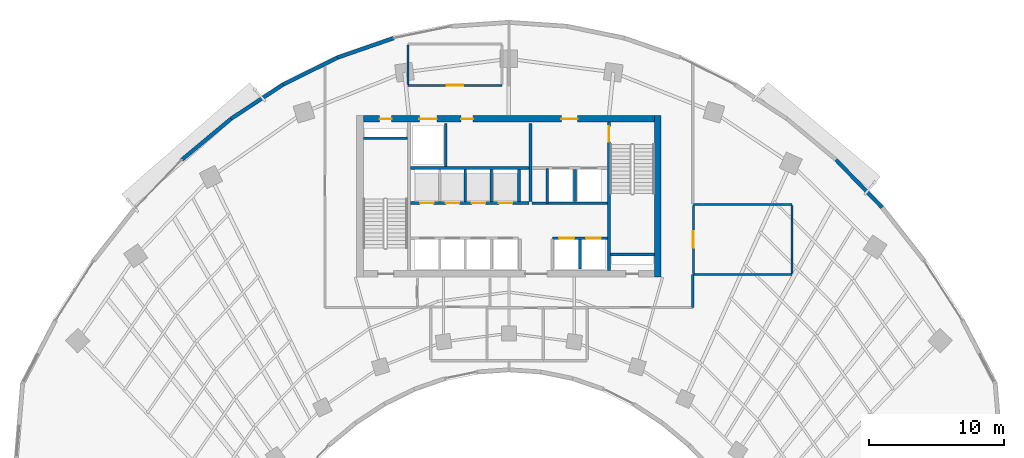
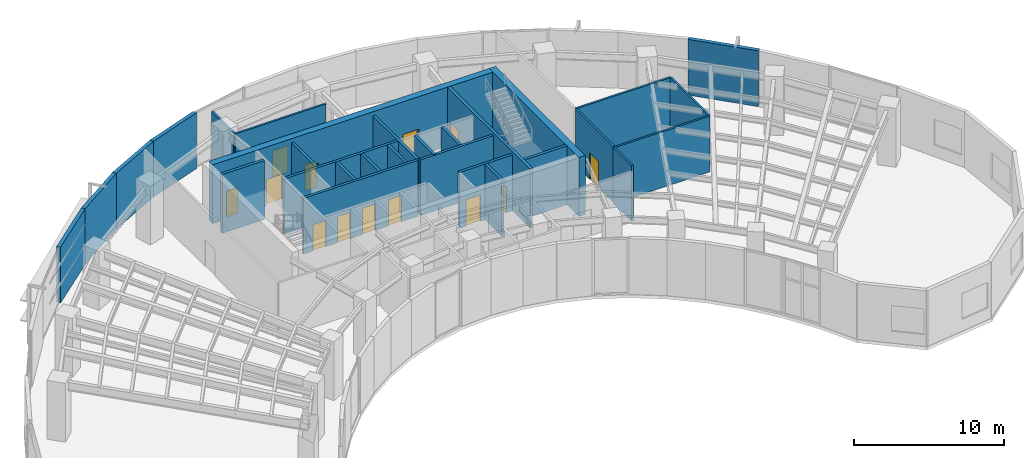
# One storey, part 10 of 15: 29 walls, 13 doors, 13 openings.
"""IFC4 building model written with IfcOpenShell, lengths in metres."""

from ifc_helpers import new_model, si_unit, direction, frame, frame_2d, origin, place, context, subcontext, project, spatial, rectangle, extrude, source, transform, mapped, material, layer, layer_set, type_object, type_shapes, element, fill, save


model = new_model("IFC4")

# Units and contexts
model_context = context("Model", 3, precision=1e-05, world=origin(), true_north=direction((0.0, 1.0)))
body_context = subcontext(model_context, "Body", "Model", "MODEL_VIEW")
ifc_project = project(units=[si_unit("LENGTHUNIT", "METRE"), si_unit("AREAUNIT", "SQUARE_METRE"), si_unit("VOLUMEUNIT", "CUBIC_METRE"), si_unit("PLANEANGLEUNIT", "RADIAN"), si_unit("MASSUNIT", "GRAM", prefix="KILO")], contexts=[model_context])

# Site, building, storey
site_placement = place(None, origin())
site = spatial("IfcSite", under=ifc_project, at=site_placement, CompositionType="ELEMENT")
building_placement = place(site_placement, origin())
building = spatial("IfcBuilding", under=site, at=building_placement, Name="Breltana Convention Tower", CompositionType="ELEMENT")
storey_placement = place(building_placement, frame((0.0, 0.0, 91.199951171875)))
storey = spatial("IfcBuildingStorey", under=building, at=storey_placement, Name="L21", CompositionType="ELEMENT", Elevation=91.199951171875)

# Wall
ifc_material_1 = material(Name="Concrete C60/75", Category="concrete")
ifc_layer_1 = layer(ifc_material_1, 0.5, Name="Concrete C60/75")
ifc_layer_set_1 = layer_set([ifc_layer_1], Name="Concrete C60/75")
wall_type_1 = type_object("IfcWallType", Name="SW-CORE-500", PredefinedType="SHEAR", material=ifc_layer_set_1)
shared_shape_1 = source(origin(), body_context, "Body", "SweptSolid", [
    extrude(rectangle(XDim=12.0, YDim=0.5, at=frame_2d((6.0, 0.0))), origin(), (0.0, 0.0, 1.0), 4.800048828125),
])
wall_1_placement = place(storey_placement, frame((59.050048828125, 60.199951171875, 0.0), z_axis=(0.0, 0.0, 1.0), x_axis=(0.0, 1.0, 0.0)))
element("IfcWall", 1, at=wall_1_placement, inside=storey, type_object=wall_type_1, Name="L21 East Core Shear Wall", PredefinedType="SHEAR", context=body_context, shape_type="MappedRepresentation", body=[
    mapped(shared_shape_1, transform((0.0, 0.0, 0.0), scale=1.0)),
])

# Wall, openings, doors
shared_shape_2 = source(origin(), body_context, "Body", "SweptSolid", [
    extrude(rectangle(XDim=21.60009765625, YDim=0.5, at=frame_2d((10.800048828125, 0.0))), origin(), (0.0, 0.0, 1.0), 4.800048828125),
])
wall_2_placement = place(storey_placement, frame((37.199951171875, 71.949951171875, 0.0), z_axis=(0.0, 0.0, 1.0), x_axis=(1.0, 0.0, 0.0)))
wall_2 = element("IfcWall", 2, at=wall_2_placement, inside=storey, type_object=wall_type_1, Name="L21 North Core Shear Wall", PredefinedType="SHEAR", context=body_context, shape_type="MappedRepresentation", body=[
    mapped(shared_shape_2, transform((0.0, 0.0, 0.0), scale=1.0)),
])
opening_1_placement = place(wall_2_placement, frame((1.199951171875, 0.0, 0.0)))
opening_1 = element("IfcOpeningElement", 3, at=opening_1_placement, cuts=wall_2, Name="Opening D-18", PredefinedType="OPENING", context=body_context, shape_type="SweptSolid", body=[
    extrude(rectangle(XDim=0.89990234375, YDim=2.10009765625, at=frame_2d((0.449951171875, 1.050048828125))), frame((0.0, 0.260009765625, 0.0), z_axis=(0.0, -1.0, 0.0), x_axis=(1.0, 0.0, 0.0)), (0.0, 0.0, 1.0), 0.52001953125),
])
opening_2_placement = place(wall_2_placement, frame((14.699951171875, 0.0, 0.0)))
opening_2 = element("IfcOpeningElement", 4, at=opening_2_placement, cuts=wall_2, Name="Opening D-09", PredefinedType="OPENING", context=body_context, shape_type="SweptSolid", body=[
    extrude(rectangle(XDim=1.199951171875, YDim=2.14990234375, at=frame_2d((0.60009765625, 1.074951171875))), frame((0.0, 0.260009765625, 0.0), z_axis=(0.0, -1.0, 0.0), x_axis=(1.0, 0.0, 0.0)), (0.0, 0.0, 1.0), 0.52001953125),
])
opening_3_placement = place(wall_2_placement, frame((4.14990234375, 0.0, 0.0)))
opening_3 = element("IfcOpeningElement", 5, at=opening_3_placement, cuts=wall_2, Name="Opening LD-01", PredefinedType="OPENING", context=body_context, shape_type="SweptSolid", body=[
    extrude(rectangle(XDim=1.300048828125, YDim=2.14990234375, at=frame_2d((0.64990234375, 1.074951171875))), frame((0.0, 0.260009765625, 0.0), z_axis=(0.0, -1.0, 0.0), x_axis=(1.0, 0.0, 0.0)), (0.0, 0.0, 1.0), 0.52001953125),
])
opening_4_placement = place(wall_2_placement, frame((7.25, 0.0, 0.0)))
opening_4 = element("IfcOpeningElement", 6, at=opening_4_placement, cuts=wall_2, Name="Opening D-18", PredefinedType="OPENING", context=body_context, shape_type="SweptSolid", body=[
    extrude(rectangle(XDim=0.89990234375, YDim=2.10009765625, at=frame_2d((0.449951171875, 1.050048828125))), frame((0.0, 0.260009765625, 0.0), z_axis=(0.0, -1.0, 0.0), x_axis=(1.0, 0.0, 0.0)), (0.0, 0.0, 1.0), 0.52001953125),
])
ifc_material_2 = material(Name="Steel Riser Fire Door", Category="steel")
door_type_1 = type_object("IfcDoorType", Name="DR-FD60-900", OperationType="NOTDEFINED", PredefinedType="DOOR", material=ifc_material_2)
shared_shape_3 = source(origin(), body_context, "Body", "SweptSolid", [
    extrude(rectangle(XDim=0.89990234375, YDim=2.10009765625, at=frame_2d((0.449951171875, 1.050048828125))), frame((0.0, 0.02490234375, 0.0), z_axis=(0.0, -1.0, 0.0), x_axis=(1.0, 0.0, 0.0)), (0.0, 0.0, 1.0), 0.050048828125),
])
type_shapes(door_type_1, [shared_shape_3])
door_1_placement = place(opening_1_placement, origin())
door_1 = element("IfcDoor", 7, at=door_1_placement, inside=storey, type_object=door_type_1, Name="L21 Core Riser Access Door D-L21-RS1", OperationType="SINGLE_SWING_LEFT", OverallHeight=2.10009765625, OverallWidth=0.89990234375, PredefinedType="DOOR", context=body_context, shape_type="MappedRepresentation", body=[
    mapped(shared_shape_3, transform((0.0, 0.0, 0.0), scale=1.0)),
])
fill(opening_1, door_1)
door_2_placement = place(opening_4_placement, origin())
door_2 = element("IfcDoor", 8, at=door_2_placement, inside=storey, type_object=door_type_1, Name="L21 interior door D-L21-CRA1", OperationType="SINGLE_SWING_LEFT", OverallHeight=2.10009765625, OverallWidth=0.89990234375, PredefinedType="DOOR", context=body_context, shape_type="MappedRepresentation", body=[
    mapped(shared_shape_3, transform((0.0, 0.0, 0.0), scale=1.0)),
])
fill(opening_4, door_2)
ifc_material_3 = material(Name="Steel Fire Lobby Door", Category="steel")
door_type_2 = type_object("IfcDoorType", Name="DR-FD120-1200", OperationType="NOTDEFINED", PredefinedType="DOOR", material=ifc_material_3)
shared_shape_4 = source(origin(), body_context, "Body", "SweptSolid", [
    extrude(rectangle(XDim=1.199951171875, YDim=2.14990234375, at=frame_2d((0.60009765625, 1.074951171875))), frame((0.0, 0.02490234375, 0.0), z_axis=(0.0, -1.0, 0.0), x_axis=(1.0, 0.0, 0.0)), (0.0, 0.0, 1.0), 0.050048828125),
])
type_shapes(door_type_2, [shared_shape_4])
door_3_placement = place(opening_2_placement, origin())
door_3 = element("IfcDoor", 9, at=door_3_placement, inside=storey, type_object=door_type_2, Name="L21 interior door D-L21-FFL-N", OperationType="SINGLE_SWING_RIGHT", OverallHeight=2.14990234375, OverallWidth=1.199951171875, PredefinedType="DOOR", context=body_context, shape_type="MappedRepresentation", body=[
    mapped(shared_shape_4, transform((0.0, 0.0, 0.0), scale=1.0)),
])
fill(opening_2, door_3)
ifc_material_4 = material(Name="Stainless Steel Brushed", Category="steel")
door_type_3 = type_object("IfcDoorType", Name="DR-LD-SRV-1300", OperationType="DOUBLE_DOOR_SLIDING", PredefinedType="DOOR", material=ifc_material_4)
shared_shape_5 = source(origin(), body_context, "Body", "SweptSolid", [
    extrude(rectangle(XDim=1.300048828125, YDim=2.14990234375, at=frame_2d((0.64990234375, 1.074951171875))), frame((0.0, 0.02490234375, 0.0), z_axis=(0.0, -1.0, 0.0), x_axis=(1.0, 0.0, 0.0)), (0.0, 0.0, 1.0), 0.050048828125),
])
type_shapes(door_type_3, [shared_shape_5])
door_4_placement = place(opening_3_placement, origin())
door_4 = element("IfcDoor", 10, at=door_4_placement, inside=storey, type_object=door_type_3, Name="L21 Lift Landing Door D-L21-LD-SV1", OperationType="DOUBLE_DOOR_SLIDING", OverallHeight=2.14990234375, OverallWidth=1.300048828125, PredefinedType="DOOR", context=body_context, shape_type="MappedRepresentation", body=[
    mapped(shared_shape_5, transform((0.0, 0.0, 0.0), scale=1.0)),
])
fill(opening_3, door_4)

# Walls
ifc_material_5 = material(Name="Concrete C50/60", Category="concrete")
ifc_layer_2 = layer(ifc_material_5, 0.39990234375, Name="Concrete C50/60")
ifc_layer_set_2 = layer_set([ifc_layer_2], Name="Concrete C50/60")
wall_type_2 = type_object("IfcWallType", Name="SW-CORE-400", PredefinedType="SHEAR", material=ifc_layer_set_2)
shared_shape_6 = source(origin(), body_context, "Body", "SweptSolid", [
    extrude(rectangle(XDim=3.27001953125, YDim=0.219970703125, at=frame_2d((1.635009765625, 0.0))), origin(), (0.0, 0.0, 1.0), 4.800048828125),
])
for number, where, z_axis, x_axis, name in (
    (11, (37.199951171875, 70.510009765625, 0.0), (0.0, 0.0, 1.0), (1.0, 0.0, 0.0), "L21 ST-1 Stairwell North Bearing Wall"),
    (12, (55.530029296875, 61.889892578125, 0.0), (0.0, 0.0, 1.0), (1.0, 0.0, 0.0), "L21 ST-2 Stairwell South Bearing Wall"),
):
    element("IfcWall", number, at=place(storey_placement, frame(where, z_axis=z_axis, x_axis=x_axis)), inside=storey, type_object=wall_type_2, Name=name, PredefinedType="SHEAR", context=body_context, shape_type="MappedRepresentation", body=[
        mapped(shared_shape_6, transform((0.0, 0.0, 0.0), scale=1.0)),
    ])

# Wall, opening, door
shared_shape_7 = source(origin(), body_context, "Body", "SweptSolid", [
    extrude(rectangle(XDim=11.0, YDim=0.219970703125, at=frame_2d((5.5, 0.0))), origin(), (0.0, 0.0, 1.0), 4.800048828125),
])
wall_3_placement = place(storey_placement, frame((55.419921875, 60.699951171875, 0.0), z_axis=(0.0, 0.0, 1.0), x_axis=(0.0, 1.0, 0.0)))
wall_3 = element("IfcWall", 13, at=wall_3_placement, inside=storey, type_object=wall_type_2, Name="L21 Core East Stair Spine Wall", PredefinedType="SHEAR", context=body_context, shape_type="MappedRepresentation", body=[
    mapped(shared_shape_7, transform((0.0, 0.0, 0.0), scale=1.0)),
])
opening_5_placement = place(wall_3_placement, frame((9.544921875, 0.0, 0.0)))
opening_5 = element("IfcOpeningElement", 14, at=opening_5_placement, cuts=wall_3, Name="Opening D-11", PredefinedType="OPENING", context=body_context, shape_type="SweptSolid", body=[
    extrude(rectangle(XDim=1.14990234375, YDim=2.14990234375, at=frame_2d((0.574951171875, 1.074951171875))), frame((0.0, 0.1201171875, 0.0), z_axis=(0.0, -1.0, 0.0), x_axis=(1.0, 0.0, 0.0)), (0.0, 0.0, 1.0), 0.239990234375),
])
ifc_material_6 = material(Name="Steel Stair Exit Door", Category="steel")
door_type_4 = type_object("IfcDoorType", Name="DR-FD120-1150", OperationType="NOTDEFINED", PredefinedType="DOOR", material=ifc_material_6)
shared_shape_8 = source(origin(), body_context, "Body", "SweptSolid", [
    extrude(rectangle(XDim=1.14990234375, YDim=2.14990234375, at=frame_2d((0.574951171875, 1.074951171875))), frame((0.0, 0.02490234375, 0.0), z_axis=(0.0, -1.0, 0.0), x_axis=(1.0, 0.0, 0.0)), (0.0, 0.0, 1.0), 0.050048828125),
])
type_shapes(door_type_4, [shared_shape_8])
door_5_placement = place(opening_5_placement, origin())
door_5 = element("IfcDoor", 15, at=door_5_placement, inside=storey, type_object=door_type_4, Name="L21 interior door D-L21-ST2", OperationType="SINGLE_SWING_LEFT", OverallHeight=2.14990234375, OverallWidth=1.14990234375, PredefinedType="DOOR", context=body_context, shape_type="MappedRepresentation", body=[
    mapped(shared_shape_8, transform((0.0, 0.0, 0.0), scale=1.0)),
])
fill(opening_5, door_5)

# Walls
ifc_material_7 = material(Name="Limestone Buff Insulated Wall", Category="masonry")
ifc_layer_3 = layer(ifc_material_7, 0.280029296875, Name="Limestone Buff Insulated Wall")
ifc_layer_set_3 = layer_set([ifc_layer_3], Name="Limestone Buff Insulated Wall")
wall_type_3 = type_object("IfcWallType", Name="WL-EXT-NOSE-280", PredefinedType="SOLIDWALL", material=ifc_layer_set_3)
shared_shape_9 = source(origin(), body_context, "Body", "SweptSolid", [
    extrude(rectangle(XDim=4.76220703125, YDim=0.280029296875, at=frame_2d((2.381103515625, 0.0))), origin(), (0.0, 0.0, 1.0), 4.550048828125),
])
wall_4_placement = place(storey_placement, frame((23.724609375, 68.907470703125, 0.0), z_axis=(0.0, 0.0, 1.0), x_axis=(0.767952279762, 0.640507061638, 0.0)))
element("IfcWall", 16, at=wall_4_placement, inside=storey, type_object=wall_type_3, Name="L21 curved limestone nose wall E21", PredefinedType="SOLIDWALL", context=body_context, shape_type="MappedRepresentation", body=[
    mapped(shared_shape_9, transform((0.0, 0.0, 0.0), scale=1.0)),
])
shared_shape_10 = source(origin(), body_context, "Body", "SweptSolid", [
    extrude(rectangle(XDim=4.625732421875, YDim=0.280029296875, at=frame_2d((2.31298828125, 0.0))), origin(), (0.0, 0.0, 1.0), 4.550048828125),
])
wall_5_placement = place(storey_placement, frame((27.3818359375, 71.957763671875, 0.0), z_axis=(0.0, 0.0, 1.0), x_axis=(0.83595938331, 0.548791316855, 0.0)))
element("IfcWall", 17, at=wall_5_placement, inside=storey, type_object=wall_type_3, Name="L21 curved limestone nose wall E22", PredefinedType="SOLIDWALL", context=body_context, shape_type="MappedRepresentation", body=[
    mapped(shared_shape_10, transform((0.0, 0.0, 0.0), scale=1.0)),
])
shared_shape_11 = source(origin(), body_context, "Body", "SweptSolid", [
    extrude(rectangle(XDim=4.505615234375, YDim=0.280029296875, at=frame_2d((2.2529296875, 0.0))), origin(), (0.0, 0.0, 1.0), 4.550048828125),
])
wall_6_placement = place(storey_placement, frame((31.248779296875, 74.496337890625, 0.0), z_axis=(0.0, 0.0, 1.0), x_axis=(0.89597155075, 0.444111450254, 0.0)))
element("IfcWall", 18, at=wall_6_placement, inside=storey, type_object=wall_type_3, Name="L21 curved limestone nose wall E23", PredefinedType="SOLIDWALL", context=body_context, shape_type="MappedRepresentation", body=[
    mapped(shared_shape_11, transform((0.0, 0.0, 0.0), scale=1.0)),
])
shared_shape_12 = source(origin(), body_context, "Body", "SweptSolid", [
    extrude(rectangle(XDim=4.408935546875, YDim=0.280029296875, at=frame_2d((2.20458984375, 0.0))), origin(), (0.0, 0.0, 1.0), 4.550048828125),
])
wall_7_placement = place(storey_placement, frame((35.28564453125, 76.497314453125, 0.0), z_axis=(0.0, 0.0, 1.0), x_axis=(0.944879374121, 0.327418643881, 0.0)))
element("IfcWall", 19, at=wall_7_placement, inside=storey, type_object=wall_type_3, Name="L21 curved limestone nose wall E24", PredefinedType="SOLIDWALL", context=body_context, shape_type="MappedRepresentation", body=[
    mapped(shared_shape_12, transform((0.0, 0.0, 0.0), scale=1.0)),
])
shared_shape_13 = source(origin(), body_context, "Body", "SweptSolid", [
    extrude(rectangle(XDim=4.908447265625, YDim=0.280029296875, at=frame_2d((2.4541015625, 0.0))), origin(), (0.0, 0.0, 1.0), 4.550048828125),
])
wall_8_placement = place(storey_placement, frame((72.275390625, 68.907470703125, 0.0), z_axis=(0.0, 0.0, 1.0), x_axis=(0.694613154328, -0.719383462302, 0.0)))
element("IfcWall", 20, at=wall_8_placement, inside=storey, type_object=wall_type_3, Name="L21 curved limestone nose wall E31", PredefinedType="SOLIDWALL", context=body_context, shape_type="MappedRepresentation", body=[
    mapped(shared_shape_13, transform((0.0, 0.0, 0.0), scale=1.0)),
])
ifc_material_8 = material(Name="Autoclaved Aerated Concrete Block", Category="concrete")
ifc_layer_4 = layer(ifc_material_8, 0.199951171875, Name="Autoclaved Aerated Concrete Block")
ifc_layer_set_4 = layer_set([ifc_layer_4], Name="Autoclaved Aerated Concrete Block")
wall_type_4 = type_object("IfcWallType", Name="WL-SHAFT-200", PredefinedType="SOLIDWALL", material=ifc_layer_set_4)
shared_shape_14 = source(origin(), body_context, "Body", "SweptSolid", [
    extrude(rectangle(XDim=5.6201171875, YDim=0.199951171875, at=frame_2d((2.81005859375, 0.0))), origin(), (0.0, 0.0, 1.0), 4.550048828125),
])
wall_9_placement = place(storey_placement, frame((49.699951171875, 65.679931640625, 0.0), z_axis=(0.0, 0.0, 1.0), x_axis=(1.0, 0.0, 0.0)))
element("IfcWall", 21, at=wall_9_placement, inside=storey, type_object=wall_type_4, Name="L21 interior partition W-L21-FL-S", PredefinedType="SOLIDWALL", context=body_context, shape_type="MappedRepresentation", body=[
    mapped(shared_shape_14, transform((0.0, 0.0, 0.0), scale=1.0)),
])
shared_shape_15 = source(origin(), body_context, "Body", "SweptSolid", [
    extrude(rectangle(XDim=5.800048828125, YDim=0.199951171875, at=frame_2d((2.89990234375, 0.0))), origin(), (0.0, 0.0, 1.0), 4.550048828125),
])
wall_10_placement = place(storey_placement, frame((49.60009765625, 65.800048828125, 0.0), z_axis=(0.0, 0.0, 1.0), x_axis=(0.0, 1.0, 0.0)))
element("IfcWall", 22, at=wall_10_placement, inside=storey, type_object=wall_type_4, Name="L21 interior partition W-L21-FFL-W", PredefinedType="SOLIDWALL", context=body_context, shape_type="MappedRepresentation", body=[
    mapped(shared_shape_15, transform((0.0, 0.0, 0.0), scale=1.0)),
])
shared_shape_16 = source(origin(), body_context, "Body", "SweptSolid", [
    extrude(rectangle(XDim=2.580078125, YDim=0.199951171875, at=frame_2d((1.2900390625, 0.0))), origin(), (0.0, 0.0, 1.0), 4.550048828125),
])
wall_11_placement = place(storey_placement, frame((50.85009765625, 65.679931640625, 0.0), z_axis=(0.0, 0.0, 1.0), x_axis=(0.0, 1.0, 0.0)))
element("IfcWall", 23, at=wall_11_placement, inside=storey, type_object=wall_type_4, Name="L21 interior partition W-L21-FL-W", PredefinedType="SOLIDWALL", context=body_context, shape_type="MappedRepresentation", body=[
    mapped(shared_shape_16, transform((0.0, 0.0, 0.0), scale=1.0)),
])
shared_shape_17 = source(origin(), body_context, "Body", "SweptSolid", [
    extrude(rectangle(XDim=2.39990234375, YDim=0.199951171875, at=frame_2d((1.199951171875, 0.0))), origin(), (0.0, 0.0, 1.0), 4.550048828125),
])
for number, where, z_axis, x_axis, name in (
    (24, (52.89990234375, 65.800048828125, 0.0), (0.0, 0.0, 1.0), (0.0, 1.0, 0.0), "L21 interior partition W-L21-FL-DIV"),
    (25, (48.75, 65.800048828125, 0.0), (0.0, 0.0, 1.0), (0.0, 1.0, 0.0), "L21 interior partition W-L21-SH-M-END"),
    (26, (44.77001953125, 65.800048828125, 0.0), (0.0, 0.0, 1.0), (0.0, 1.0, 0.0), "L21 interior partition W-L21-SH-M-DIV2"),
    (27, (46.699951171875, 65.800048828125, 0.0), (0.0, 0.0, 1.0), (0.0, 1.0, 0.0), "L21 interior partition W-L21-SH-M-DIV3"),
):
    element("IfcWall", number, at=place(storey_placement, frame(where, z_axis=z_axis, x_axis=x_axis)), inside=storey, type_object=wall_type_4, Name=name, PredefinedType="SOLIDWALL", context=body_context, shape_type="MappedRepresentation", body=[
        mapped(shared_shape_17, transform((0.0, 0.0, 0.0), scale=1.0)),
    ])
shared_shape_18 = source(origin(), body_context, "Body", "SweptSolid", [
    extrude(rectangle(XDim=3.2001953125, YDim=0.199951171875, at=frame_2d((1.60009765625, 0.0))), origin(), (0.0, 0.0, 1.0), 4.550048828125),
])
wall_12_placement = place(storey_placement, frame((43.320068359375, 68.39990234375, 0.0), z_axis=(0.0, 0.0, 1.0), x_axis=(0.0, 1.0, 0.0)))
element("IfcWall", 28, at=wall_12_placement, inside=storey, type_object=wall_type_4, Name="L21 interior partition W-L21-SV-E", PredefinedType="SOLIDWALL", context=body_context, shape_type="MappedRepresentation", body=[
    mapped(shared_shape_18, transform((0.0, 0.0, 0.0), scale=1.0)),
])
shared_shape_19 = source(origin(), body_context, "Body", "SweptSolid", [
    extrude(rectangle(XDim=8.800048828125, YDim=0.199951171875, at=frame_2d((4.39990234375, 0.0))), origin(), (0.0, 0.0, 1.0), 4.550048828125),
])
wall_13_placement = place(storey_placement, frame((40.699951171875, 68.300048828125, 0.0), z_axis=(0.0, 0.0, 1.0), x_axis=(1.0, 0.0, 0.0)))
element("IfcWall", 29, at=wall_13_placement, inside=storey, type_object=wall_type_4, Name="L21 interior partition W-L21-SV-S", PredefinedType="SOLIDWALL", context=body_context, shape_type="MappedRepresentation", body=[
    mapped(shared_shape_19, transform((0.0, 0.0, 0.0), scale=1.0)),
])

# Wall, openings, doors
wall_14_placement = place(storey_placement, frame((40.699951171875, 65.699951171875, 0.0), z_axis=(0.0, 0.0, 1.0), x_axis=(1.0, 0.0, 0.0)))
wall_14 = element("IfcWall", 30, at=wall_14_placement, inside=storey, type_object=wall_type_4, Name="L21 interior partition W-L21-SH-M-FRONT", PredefinedType="SOLIDWALL", context=body_context, shape_type="MappedRepresentation", body=[
    mapped(shared_shape_19, transform((0.0, 0.0, 0.0), scale=1.0)),
])
opening_6_placement = place(wall_14_placement, frame((0.719970703125, 0.0, 0.0)))
opening_6 = element("IfcOpeningElement", 31, at=opening_6_placement, cuts=wall_14, Name="Opening LD-04", PredefinedType="OPENING", context=body_context, shape_type="SweptSolid", body=[
    extrude(rectangle(XDim=1.0, YDim=2.14990234375, at=frame_2d((0.5, 1.074951171875))), frame((0.0, 0.10986328125, 0.0), z_axis=(0.0, -1.0, 0.0), x_axis=(1.0, 0.0, 0.0)), (0.0, 0.0, 1.0), 0.219970703125),
])
opening_7_placement = place(wall_14_placement, frame((2.6201171875, 0.0, 0.0)))
opening_7 = element("IfcOpeningElement", 32, at=opening_7_placement, cuts=wall_14, Name="Opening LD-04", PredefinedType="OPENING", context=body_context, shape_type="SweptSolid", body=[
    extrude(rectangle(XDim=1.0, YDim=2.14990234375, at=frame_2d((0.5, 1.074951171875))), frame((0.0, 0.10986328125, 0.0), z_axis=(0.0, -1.0, 0.0), x_axis=(1.0, 0.0, 0.0)), (0.0, 0.0, 1.0), 0.219970703125),
])
opening_8_placement = place(wall_14_placement, frame((4.550048828125, 0.0, 0.0)))
opening_8 = element("IfcOpeningElement", 33, at=opening_8_placement, cuts=wall_14, Name="Opening LD-04", PredefinedType="OPENING", context=body_context, shape_type="SweptSolid", body=[
    extrude(rectangle(XDim=1.0, YDim=2.14990234375, at=frame_2d((0.5, 1.074951171875))), frame((0.0, 0.10986328125, 0.0), z_axis=(0.0, -1.0, 0.0), x_axis=(1.0, 0.0, 0.0)), (0.0, 0.0, 1.0), 0.219970703125),
])
opening_9_placement = place(wall_14_placement, frame((6.550048828125, 0.0, 0.0)))
opening_9 = element("IfcOpeningElement", 34, at=opening_9_placement, cuts=wall_14, Name="Opening LD-04", PredefinedType="OPENING", context=body_context, shape_type="SweptSolid", body=[
    extrude(rectangle(XDim=1.0, YDim=2.14990234375, at=frame_2d((0.5, 1.074951171875))), frame((0.0, 0.10986328125, 0.0), z_axis=(0.0, -1.0, 0.0), x_axis=(1.0, 0.0, 0.0)), (0.0, 0.0, 1.0), 0.219970703125),
])
door_type_5 = type_object("IfcDoorType", Name="DR-LD-PAX-1000", OperationType="DOUBLE_DOOR_SLIDING", PredefinedType="DOOR", material=ifc_material_4)
shared_shape_20 = source(origin(), body_context, "Body", "SweptSolid", [
    extrude(rectangle(XDim=1.0, YDim=2.14990234375, at=frame_2d((0.5, 1.074951171875))), frame((0.0, 0.02490234375, 0.0), z_axis=(0.0, -1.0, 0.0), x_axis=(1.0, 0.0, 0.0)), (0.0, 0.0, 1.0), 0.050048828125),
])
type_shapes(door_type_5, [shared_shape_20])
door_6_placement = place(opening_6_placement, origin())
door_6 = element("IfcDoor", 35, at=door_6_placement, inside=storey, type_object=door_type_5, Name="L21 Lift Landing Door D-L21-LD-M1", OperationType="DOUBLE_DOOR_SLIDING", OverallHeight=2.14990234375, OverallWidth=1.0, PredefinedType="DOOR", context=body_context, shape_type="MappedRepresentation", body=[
    mapped(shared_shape_20, transform((0.0, 0.0, 0.0), scale=1.0)),
])
fill(opening_6, door_6)
door_7_placement = place(opening_7_placement, origin())
door_7 = element("IfcDoor", 36, at=door_7_placement, inside=storey, type_object=door_type_5, Name="L21 Lift Landing Door D-L21-LD-M2", OperationType="DOUBLE_DOOR_SLIDING", OverallHeight=2.14990234375, OverallWidth=1.0, PredefinedType="DOOR", context=body_context, shape_type="MappedRepresentation", body=[
    mapped(shared_shape_20, transform((0.0, 0.0, 0.0), scale=1.0)),
])
fill(opening_7, door_7)
door_8_placement = place(opening_8_placement, origin())
door_8 = element("IfcDoor", 37, at=door_8_placement, inside=storey, type_object=door_type_5, Name="L21 Lift Landing Door D-L21-LD-M3", OperationType="DOUBLE_DOOR_SLIDING", OverallHeight=2.14990234375, OverallWidth=1.0, PredefinedType="DOOR", context=body_context, shape_type="MappedRepresentation", body=[
    mapped(shared_shape_20, transform((0.0, 0.0, 0.0), scale=1.0)),
])
fill(opening_8, door_8)
door_9_placement = place(opening_9_placement, origin())
door_9 = element("IfcDoor", 38, at=door_9_placement, inside=storey, type_object=door_type_5, Name="L21 Lift Landing Door D-L21-LD-M4", OperationType="DOUBLE_DOOR_SLIDING", OverallHeight=2.14990234375, OverallWidth=1.0, PredefinedType="DOOR", context=body_context, shape_type="MappedRepresentation", body=[
    mapped(shared_shape_20, transform((0.0, 0.0, 0.0), scale=1.0)),
])
fill(opening_9, door_9)

shared_shape_21 = source(origin(), body_context, "Body", "SweptSolid", [
    extrude(rectangle(XDim=4.10009765625, YDim=0.199951171875, at=frame_2d((2.050048828125, 0.0))), origin(), (0.0, 0.0, 1.0), 4.550048828125),
])
wall_15_placement = place(storey_placement, frame((51.219970703125, 63.10009765625, 0.0), z_axis=(0.0, 0.0, 1.0), x_axis=(1.0, 0.0, 0.0)))
wall_15 = element("IfcWall", 39, at=wall_15_placement, inside=storey, type_object=wall_type_4, Name="L21 interior partition W-L21-SH-X-FRONT", PredefinedType="SOLIDWALL", context=body_context, shape_type="MappedRepresentation", body=[
    mapped(shared_shape_21, transform((0.0, 0.0, 0.0), scale=1.0)),
])
opening_10_placement = place(wall_15_placement, frame((0.510009765625, 0.0, 0.0)))
opening_10 = element("IfcOpeningElement", 40, at=opening_10_placement, cuts=wall_15, Name="Opening LD-02", PredefinedType="OPENING", context=body_context, shape_type="SweptSolid", body=[
    extrude(rectangle(XDim=1.10009765625, YDim=2.14990234375, at=frame_2d((0.550048828125, 1.074951171875))), frame((0.0, 0.10986328125, 0.0), z_axis=(0.0, -1.0, 0.0), x_axis=(1.0, 0.0, 0.0)), (0.0, 0.0, 1.0), 0.219970703125),
])
opening_11_placement = place(wall_15_placement, frame((2.510009765625, 0.0, 0.0)))
opening_11 = element("IfcOpeningElement", 41, at=opening_11_placement, cuts=wall_15, Name="Opening LD-02", PredefinedType="OPENING", context=body_context, shape_type="SweptSolid", body=[
    extrude(rectangle(XDim=1.10009765625, YDim=2.14990234375, at=frame_2d((0.550048828125, 1.074951171875))), frame((0.0, 0.10986328125, 0.0), z_axis=(0.0, -1.0, 0.0), x_axis=(1.0, 0.0, 0.0)), (0.0, 0.0, 1.0), 0.219970703125),
])
ifc_material_9 = material(Name="Stainless Steel Bronze", Category="steel")
door_type_6 = type_object("IfcDoorType", Name="DR-LD-EXP-1100", OperationType="DOUBLE_DOOR_SLIDING", PredefinedType="DOOR", material=ifc_material_9)
shared_shape_22 = source(origin(), body_context, "Body", "SweptSolid", [
    extrude(rectangle(XDim=1.10009765625, YDim=2.14990234375, at=frame_2d((0.550048828125, 1.074951171875))), frame((0.0, 0.02490234375, 0.0), z_axis=(0.0, -1.0, 0.0), x_axis=(1.0, 0.0, 0.0)), (0.0, 0.0, 1.0), 0.050048828125),
])
type_shapes(door_type_6, [shared_shape_22])
door_10_placement = place(opening_10_placement, origin())
door_10 = element("IfcDoor", 42, at=door_10_placement, inside=storey, type_object=door_type_6, Name="L21 Lift Landing Door D-L21-LD-X1", OperationType="DOUBLE_DOOR_SLIDING", OverallHeight=2.14990234375, OverallWidth=1.10009765625, PredefinedType="DOOR", context=body_context, shape_type="MappedRepresentation", body=[
    mapped(shared_shape_22, transform((0.0, 0.0, 0.0), scale=1.0)),
])
fill(opening_10, door_10)
door_11_placement = place(opening_11_placement, origin())
door_11 = element("IfcDoor", 43, at=door_11_placement, inside=storey, type_object=door_type_6, Name="L21 Lift Landing Door D-L21-LD-X2", OperationType="DOUBLE_DOOR_SLIDING", OverallHeight=2.14990234375, OverallWidth=1.10009765625, PredefinedType="DOOR", context=body_context, shape_type="MappedRepresentation", body=[
    mapped(shared_shape_22, transform((0.0, 0.0, 0.0), scale=1.0)),
])
fill(opening_11, door_11)

# Walls
shared_shape_23 = source(origin(), body_context, "Body", "SweptSolid", [
    extrude(rectangle(XDim=2.199951171875, YDim=0.199951171875, at=frame_2d((1.10009765625, 0.0))), origin(), (0.0, 0.0, 1.0), 4.550048828125),
])
wall_16_placement = place(storey_placement, frame((53.280029296875, 60.800048828125, 0.0), z_axis=(0.0, 0.0, 1.0), x_axis=(0.0, 1.0, 0.0)))
element("IfcWall", 44, at=wall_16_placement, inside=storey, type_object=wall_type_4, Name="L21 interior partition W-L21-SH-X-DIV", PredefinedType="SOLIDWALL", context=body_context, shape_type="MappedRepresentation", body=[
    mapped(shared_shape_23, transform((0.0, 0.0, 0.0), scale=1.0)),
])
ifc_material_10 = material(Name="Gypsum Acoustic Drywall Partition")
ifc_layer_5 = layer(ifc_material_10, 0.14990234375, Name="Gypsum Acoustic Drywall Partition")
ifc_layer_set_5 = layer_set([ifc_layer_5], Name="Gypsum Acoustic Drywall Partition")
wall_type_5 = type_object("IfcWallType", Name="WL-PART-150", PredefinedType="PARTITIONING", material=ifc_layer_set_5)
shared_shape_24 = source(origin(), body_context, "Body", "SweptSolid", [
    extrude(rectangle(XDim=7.320068359375, YDim=0.14990234375, at=frame_2d((3.66015625, 0.0))), origin(), (0.0, 0.0, 1.0), 4.550048828125),
])
for number, where, z_axis, x_axis, name in (
    (45, (61.679931640625, 60.39990234375, 0.0), (0.0, 0.0, 1.0), (1.0, 0.0, 0.0), "L21 interior partition W-L21-SCAF-S"),
    (46, (61.679931640625, 65.60009765625, 0.0), (0.0, 0.0, 1.0), (1.0, 0.0, 0.0), "L21 interior partition W-L21-SCAF-N"),
):
    element("IfcWall", number, at=place(storey_placement, frame(where, z_axis=z_axis, x_axis=x_axis)), inside=storey, type_object=wall_type_5, Name=name, PredefinedType="PARTITIONING", context=body_context, shape_type="MappedRepresentation", body=[
        mapped(shared_shape_24, transform((0.0, 0.0, 0.0), scale=1.0)),
    ])

# Wall, opening, door
shared_shape_25 = source(origin(), body_context, "Body", "SweptSolid", [
    extrude(rectangle(XDim=5.06494140625, YDim=0.14990234375, at=frame_2d((2.532470703125, 0.0))), origin(), (0.0, 0.0, 1.0), 4.550048828125),
])
wall_17_placement = place(storey_placement, frame((61.679931640625, 60.467529296875, 0.0), z_axis=(0.0, 0.0, 1.0), x_axis=(0.0, 1.0, 0.0)))
wall_17 = element("IfcWall", 47, at=wall_17_placement, inside=storey, type_object=wall_type_5, Name="L21 interior partition W-L21-SCAF-W", PredefinedType="PARTITIONING", context=body_context, shape_type="MappedRepresentation", body=[
    mapped(shared_shape_25, transform((0.0, 0.0, 0.0), scale=1.0)),
])
opening_12_placement = place(wall_17_placement, frame((1.9326171875, 0.0, 0.0)))
opening_12 = element("IfcOpeningElement", 48, at=opening_12_placement, cuts=wall_17, Name="Opening D-10", PredefinedType="OPENING", context=body_context, shape_type="SweptSolid", body=[
    extrude(rectangle(XDim=1.199951171875, YDim=2.14990234375, at=frame_2d((0.60009765625, 1.074951171875))), frame((0.0, 0.0849609375, 0.0), z_axis=(0.0, -1.0, 0.0), x_axis=(1.0, 0.0, 0.0)), (0.0, 0.0, 1.0), 0.169921875),
])
ifc_material_11 = material(Name="Timber Oak Veneer Fire Door", Category="wood")
door_type_7 = type_object("IfcDoorType", Name="DR-INT-1200", OperationType="NOTDEFINED", PredefinedType="DOOR", material=ifc_material_11)
shared_shape_26 = source(origin(), body_context, "Body", "SweptSolid", [
    extrude(rectangle(XDim=1.199951171875, YDim=2.14990234375, at=frame_2d((0.60009765625, 1.074951171875))), frame((0.0, 0.02490234375, 0.0), z_axis=(0.0, -1.0, 0.0), x_axis=(1.0, 0.0, 0.0)), (0.0, 0.0, 1.0), 0.050048828125),
])
type_shapes(door_type_7, [shared_shape_26])
door_12_placement = place(opening_12_placement, origin())
door_12 = element("IfcDoor", 49, at=door_12_placement, inside=storey, type_object=door_type_7, Name="L21 interior door D-L21-SCAF", OperationType="SINGLE_SWING_RIGHT", OverallHeight=2.14990234375, OverallWidth=1.199951171875, PredefinedType="DOOR", context=body_context, shape_type="MappedRepresentation", body=[
    mapped(shared_shape_26, transform((0.0, 0.0, 0.0), scale=1.0)),
])
fill(opening_12, door_12)

# Wall
wall_18_placement = place(storey_placement, frame((69.0, 60.467529296875, 0.0), z_axis=(0.0, 0.0, 1.0), x_axis=(0.0, 1.0, 0.0)))
element("IfcWall", 50, at=wall_18_placement, inside=storey, type_object=wall_type_5, Name="L21 interior partition W-L21-SCAF-E", PredefinedType="PARTITIONING", context=body_context, shape_type="MappedRepresentation", body=[
    mapped(shared_shape_25, transform((0.0, 0.0, 0.0), scale=1.0)),
])

# Wall, opening, door
shared_shape_27 = source(origin(), body_context, "Body", "SweptSolid", [
    extrude(rectangle(XDim=7.0, YDim=0.14990234375, at=frame_2d((3.5, 0.0))), origin(), (0.0, 0.0, 1.0), 4.550048828125),
])
wall_19_placement = place(storey_placement, frame((40.5, 74.43994140625, 0.0), z_axis=(0.0, 0.0, 1.0), x_axis=(1.0, 0.0, 0.0)))
wall_19 = element("IfcWall", 51, at=wall_19_placement, inside=storey, type_object=wall_type_5, Name="L21 interior partition W-L21-SMTG-S", PredefinedType="PARTITIONING", context=body_context, shape_type="MappedRepresentation", body=[
    mapped(shared_shape_27, transform((0.0, 0.0, 0.0), scale=1.0)),
])
opening_13_placement = place(wall_19_placement, frame((2.89990234375, 0.0, 0.0)))
opening_13 = element("IfcOpeningElement", 52, at=opening_13_placement, cuts=wall_19, Name="Opening D-10", PredefinedType="OPENING", context=body_context, shape_type="SweptSolid", body=[
    extrude(rectangle(XDim=1.199951171875, YDim=2.14990234375, at=frame_2d((0.60009765625, 1.074951171875))), frame((0.0, 0.0849609375, 0.0), z_axis=(0.0, -1.0, 0.0), x_axis=(1.0, 0.0, 0.0)), (0.0, 0.0, 1.0), 0.169921875),
])
door_13_placement = place(opening_13_placement, origin())
door_13 = element("IfcDoor", 53, at=door_13_placement, inside=storey, type_object=door_type_7, Name="L21 interior door D-L21-SMTG", OperationType="SINGLE_SWING_LEFT", OverallHeight=2.14990234375, OverallWidth=1.199951171875, PredefinedType="DOOR", context=body_context, shape_type="MappedRepresentation", body=[
    mapped(shared_shape_26, transform((0.0, 0.0, 0.0), scale=1.0)),
])
fill(opening_13, door_13)

# Walls
shared_shape_28 = source(origin(), body_context, "Body", "SweptSolid", [
    extrude(rectangle(XDim=2.925048828125, YDim=0.14990234375, at=frame_2d((1.46240234375, 0.0))), origin(), (0.0, 0.0, 1.0), 4.550048828125),
])
wall_20_placement = place(storey_placement, frame((40.5, 74.507568359375, 0.0), z_axis=(0.0, 0.0, 1.0), x_axis=(0.0, 1.0, 0.0)))
element("IfcWall", 54, at=wall_20_placement, inside=storey, type_object=wall_type_5, Name="L21 interior partition W-L21-SMTG-W", PredefinedType="PARTITIONING", context=body_context, shape_type="MappedRepresentation", body=[
    mapped(shared_shape_28, transform((0.0, 0.0, 0.0), scale=1.0)),
])
shared_shape_29 = source(origin(), body_context, "Body", "SweptSolid", [
    extrude(rectangle(XDim=2.4599609375, YDim=0.14990234375, at=frame_2d((1.22998046875, 0.0))), origin(), (0.0, 0.0, 1.0), 4.550048828125),
])
wall_21_placement = place(storey_placement, frame((61.639892578125, 57.9599609375, 0.0), z_axis=(0.0, 0.0, 1.0), x_axis=(0.0, 1.0, 0.0)))
element("IfcWall", 55, at=wall_21_placement, inside=storey, type_object=wall_type_5, Name="L21 interior partition W-L21-L21-EC", PredefinedType="PARTITIONING", context=body_context, shape_type="MappedRepresentation", body=[
    mapped(shared_shape_29, transform((0.0, 0.0, 0.0), scale=1.0)),
])

save(model, "model.ifc")
